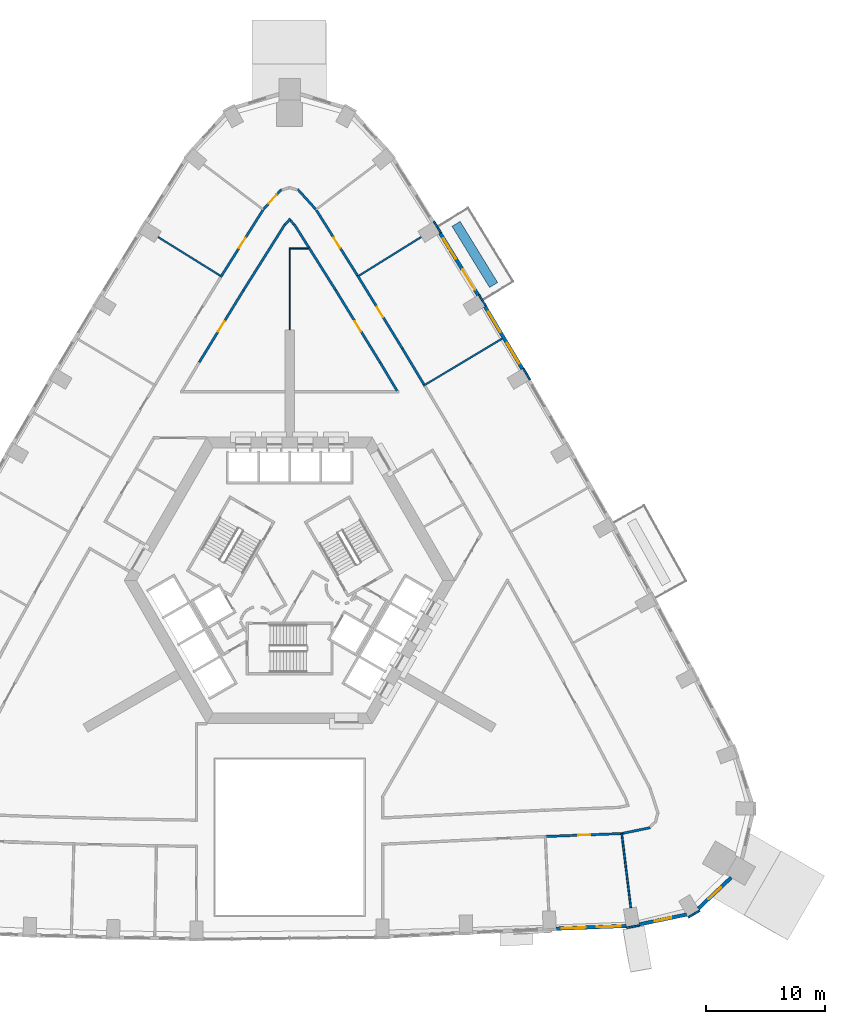
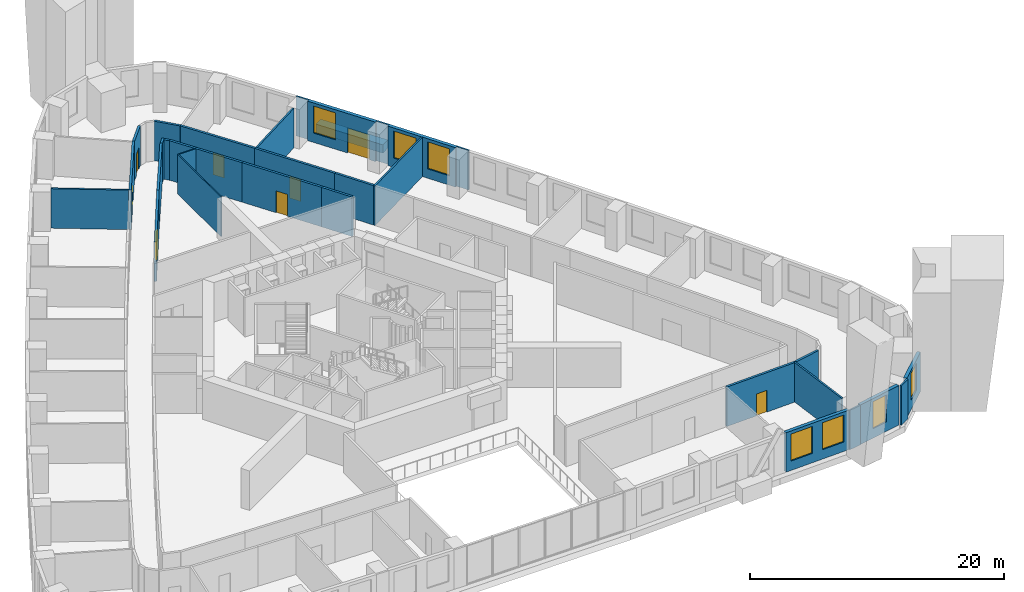
# One storey, part 10 of 15: 33 walls, 8 doors, 7 windows, 15 openings.
"""IFC4 building model written with IfcOpenShell, lengths in metres."""

from ifc_helpers import new_model, si_unit, direction, frame, frame_2d, origin, place, context, subcontext, project, spatial, rectangle, extrude, material, layer, layer_set, type_object, element, fill, save


model = new_model("IFC4")

# Units and contexts
model_context = context("Model", 3, precision=1e-05, world=origin(), true_north=direction((0.0, 1.0)))
body_context = subcontext(model_context, "Body", "Model", "MODEL_VIEW")
ifc_project = project(units=[si_unit("LENGTHUNIT", "METRE"), si_unit("AREAUNIT", "SQUARE_METRE"), si_unit("VOLUMEUNIT", "CUBIC_METRE"), si_unit("PLANEANGLEUNIT", "RADIAN"), si_unit("MASSUNIT", "GRAM", prefix="KILO")], contexts=[model_context])

# Site, building, storey
site_placement = place(None, origin())
site = spatial("IfcSite", under=ifc_project, at=site_placement, CompositionType="ELEMENT")
building_placement = place(site_placement, origin())
building = spatial("IfcBuilding", under=site, at=building_placement, Name="Entoto Arch Interchange Tower", CompositionType="ELEMENT")
storey_placement = place(building_placement, frame((0.0, 0.0, 111.800048828125)))
storey = spatial("IfcBuildingStorey", under=building, at=storey_placement, Name="L24", CompositionType="ELEMENT", Elevation=111.800048828125)

# Walls
ifc_material_1 = material(Name="Gypsum board partition on steel studs", Category="steel")
ifc_layer_1 = layer(ifc_material_1, 0.10009765625)
ifc_layer_set_1 = layer_set([ifc_layer_1], Name="Gypsum board partition on steel studs")
wall_type_1 = type_object("IfcWallType", Name="PARTITION 100", PredefinedType="PARTITIONING", material=ifc_layer_set_1)
wall_1_placement = place(storey_placement, frame((0.0, 23.5, 0.0), z_axis=(0.0, 0.0, 1.0), x_axis=(0.0, 1.0, 0.0)))
element("IfcWall", 1, at=wall_1_placement, inside=storey, type_object=wall_type_1, Name="wall:L24:p117", PredefinedType="PARTITIONING", context=body_context, shape_type="SweptSolid", body=[
    extrude(rectangle(XDim=6.85009765625, YDim=0.10009765625, at=frame_2d((3.425048828125, 0.0))), origin(), (0.0, 0.0, 1.0), 3.800048828125),
])
wall_2_placement = place(storey_placement, frame((0.050048828125, 30.300048828125, 0.0), z_axis=(0.0, 0.0, 1.0), x_axis=(1.0, 0.0, 0.0)))
element("IfcWall", 2, at=wall_2_placement, inside=storey, type_object=wall_type_1, Name="wall:L24:p118", PredefinedType="PARTITIONING", context=body_context, shape_type="SweptSolid", body=[
    extrude(rectangle(XDim=1.51806640625, YDim=0.10009765625, at=frame_2d((0.759033203125, 0.0))), origin(), (0.0, 0.0, 1.0), 3.800048828125),
])
ifc_layer_2 = layer(ifc_material_1, 0.14990234375)
ifc_layer_set_2 = layer_set([ifc_layer_2], Name="Gypsum board partition on steel studs")
wall_type_2 = type_object("IfcWallType", Name="PARTITION 150", PredefinedType="PARTITIONING", material=ifc_layer_set_2)
wall_3_placement = place(storey_placement, frame((27.822021484375, -18.7041015625, 0.0), z_axis=(0.0, 0.0, 1.0), x_axis=(0.121325411006, -0.992612786863, 0.0)))
element("IfcWall", 3, at=wall_3_placement, inside=storey, type_object=wall_type_2, Name="wall:L24:p120", PredefinedType="PARTITIONING", context=body_context, shape_type="SweptSolid", body=[
    extrude(rectangle(XDim=6.256103515625, YDim=0.14990234375, at=frame_2d((3.1279296875, 0.0))), origin(), (0.0, 0.0, 1.0), 3.800048828125),
])
wall_4_placement = place(storey_placement, frame((11.201904296875, 18.802978515625, 0.0), z_axis=(0.0, 0.0, 1.0), x_axis=(0.857778149162, 0.514020084062, 0.0)))
element("IfcWall", 4, at=wall_4_placement, inside=storey, type_object=wall_type_2, Name="wall:L24:p123", PredefinedType="PARTITIONING", context=body_context, shape_type="SweptSolid", body=[
    extrude(rectangle(XDim=7.7001953125, YDim=0.14990234375, at=frame_2d((3.85009765625, 0.0))), origin(), (0.0, 0.0, 1.0), 3.800048828125),
])
for number, where, z_axis, x_axis, name in (
    (5, (5.81396484375, 28.031005859375, 0.0), (0.0, 0.0, 1.0), (0.849222099047, 0.528035819324, 0.0), "wall:L24:p124"),
    (6, (-5.81396484375, 28.031005859375, 0.0), (0.0, 0.0, 1.0), (-0.849222099047, 0.528035819324, 0.0), "wall:L24:p127"),
):
    element("IfcWall", number, at=place(storey_placement, frame(where, z_axis=z_axis, x_axis=x_axis)), inside=storey, type_object=wall_type_2, Name=name, PredefinedType="PARTITIONING", context=body_context, shape_type="SweptSolid", body=[
        extrude(rectangle(XDim=6.13037109375, YDim=0.14990234375, at=frame_2d((3.065185546875, 0.0))), origin(), (0.0, 0.0, 1.0), 3.800048828125),
    ])
ifc_layer_3 = layer(ifc_material_1, 0.199951171875)
ifc_layer_set_3 = layer_set([ifc_layer_3], Name="Gypsum board partition on steel studs")
wall_type_3 = type_object("IfcWallType", Name="PARTITION 200", PredefinedType="PARTITIONING", material=ifc_layer_set_3)
wall_5_placement = place(storey_placement, frame((9.0029296875, 18.385986328125, 0.0), z_axis=(0.0, 0.0, 1.0), x_axis=(-0.513900868925, 0.857849577092, 0.0)))
element("IfcWall", 7, at=wall_5_placement, inside=storey, type_object=wall_type_3, Name="wall:L24:p009", PredefinedType="PARTITIONING", context=body_context, shape_type="SweptSolid", body=[
    extrude(rectangle(XDim=2.77685546875, YDim=0.199951171875, at=frame_2d((1.388427734375, 0.0))), origin(), (0.0, 0.0, 1.0), 3.800048828125),
])

# Wall, opening, door
wall_6_placement = place(storey_placement, frame((7.575927734375, 20.76806640625, 0.0), z_axis=(0.0, 0.0, 1.0), x_axis=(-0.523390991338, 0.852092641786, 0.0)))
wall_6 = element("IfcWall", 8, at=wall_6_placement, inside=storey, type_object=wall_type_3, Name="wall:L24:p010", PredefinedType="PARTITIONING", context=body_context, shape_type="SweptSolid", body=[
    extrude(rectangle(XDim=7.09765625, YDim=0.199951171875, at=frame_2d((3.548828125, 0.0))), origin(), (0.0, 0.0, 1.0), 3.800048828125),
])
opening_1_placement = place(wall_6_placement, frame((3.049072265625, 0.0, 0.0)))
opening_1 = element("IfcOpeningElement", 9, at=opening_1_placement, cuts=wall_6, Name="Opening L24-D21", PredefinedType="OPENING", context=body_context, shape_type="SweptSolid", body=[
    extrude(rectangle(XDim=1.0, YDim=2.10009765625, at=frame_2d((0.5, 1.050048828125))), frame((0.0, 0.10986328125, 0.0), z_axis=(0.0, -1.0, 0.0), x_axis=(1.0, 0.0, 0.0)), (0.0, 0.0, 1.0), 0.219970703125),
])
ifc_material_2 = material(Name="Timber door leaf in Steel S235 frame", Category="steel")
door_type_1 = type_object("IfcDoorType", Name="DOOR DS-10 1000x2100", OperationType="SINGLE_SWING_LEFT", PredefinedType="DOOR", material=ifc_material_2)
door_1_placement = place(opening_1_placement, origin())
door_1 = element("IfcDoor", 10, at=door_1_placement, inside=storey, type_object=door_type_1, Name="door:L24:21", OperationType="SINGLE_SWING_LEFT", OverallHeight=2.10009765625, OverallWidth=1.0, PredefinedType="DOOR", context=body_context, shape_type="SweptSolid", body=[
    extrude(rectangle(XDim=1.0, YDim=2.10009765625, at=frame_2d((0.5, 1.050048828125))), frame((0.0, 0.02490234375, 0.0), z_axis=(0.0, -1.0, 0.0), x_axis=(1.0, 0.0, 0.0)), (0.0, 0.0, 1.0), 0.050048828125),
])
fill(opening_1, door_1)

# Walls
wall_7_placement = place(storey_placement, frame((3.861083984375, 26.81591796875, 0.0), z_axis=(0.0, 0.0, 1.0), x_axis=(-0.532782188792, 0.846252408745, 0.0)))
element("IfcWall", 11, at=wall_7_placement, inside=storey, type_object=wall_type_3, Name="wall:L24:p011", PredefinedType="PARTITIONING", context=body_context, shape_type="SweptSolid", body=[
    extrude(rectangle(XDim=4.166748046875, YDim=0.199951171875, at=frame_2d((2.08349609375, 0.0))), origin(), (0.0, 0.0, 1.0), 3.800048828125),
])
wall_8_placement = place(storey_placement, frame((1.64111328125, 30.342041015625, 0.0), z_axis=(0.0, 0.0, 1.0), x_axis=(-0.532732797088, 0.846283502679, 0.0)))
element("IfcWall", 12, at=wall_8_placement, inside=storey, type_object=wall_type_3, Name="wall:L24:p012", PredefinedType="PARTITIONING", context=body_context, shape_type="SweptSolid", body=[
    extrude(rectangle(XDim=2.33349609375, YDim=0.199951171875, at=frame_2d((1.166748046875, 0.0))), origin(), (0.0, 0.0, 1.0), 3.800048828125),
])
wall_9_placement = place(storey_placement, frame((0.384033203125, 32.305908203125, 0.0), z_axis=(0.0, 0.0, 1.0), x_axis=(-0.669306261406, 0.742986627365, 0.0)))
element("IfcWall", 13, at=wall_9_placement, inside=storey, type_object=wall_type_3, Name="wall:L24:p013", PredefinedType="PARTITIONING", context=body_context, shape_type="SweptSolid", body=[
    extrude(rectangle(XDim=0.473876953125, YDim=0.199951171875, at=frame_2d((0.23681640625, 0.0))), origin(), (0.0, 0.0, 1.0), 3.800048828125),
])
wall_10_placement = place(storey_placement, frame((0.06689453125, 32.806884765625, 0.0), z_axis=(0.0, 0.0, 1.0), x_axis=(-0.66900475403, -0.74325812413, 0.0)))
element("IfcWall", 14, at=wall_10_placement, inside=storey, type_object=wall_type_3, Name="wall:L24:p014", PredefinedType="PARTITIONING", context=body_context, shape_type="SweptSolid", body=[
    extrude(rectangle(XDim=0.674072265625, YDim=0.199951171875, at=frame_2d((0.3369140625, 0.0))), origin(), (0.0, 0.0, 1.0), 3.800048828125),
])
wall_11_placement = place(storey_placement, frame((-0.39794921875, 32.31689453125, 0.0), z_axis=(0.0, 0.0, 1.0), x_axis=(-0.53276445777, -0.846263571553, 0.0)))
element("IfcWall", 15, at=wall_11_placement, inside=storey, type_object=wall_type_3, Name="wall:L24:p015", PredefinedType="PARTITIONING", context=body_context, shape_type="SweptSolid", body=[
    extrude(rectangle(XDim=6.500244140625, YDim=0.199951171875, at=frame_2d((3.25, 0.0))), origin(), (0.0, 0.0, 1.0), 3.800048828125),
])

# Wall, opening, door
wall_12_placement = place(storey_placement, frame((-3.861083984375, 26.81591796875, 0.0), z_axis=(0.0, 0.0, 1.0), x_axis=(-0.523390991338, -0.852092641786, 0.0)))
wall_12 = element("IfcWall", 16, at=wall_12_placement, inside=storey, type_object=wall_type_3, Name="wall:L24:p016", PredefinedType="PARTITIONING", context=body_context, shape_type="SweptSolid", body=[
    extrude(rectangle(XDim=7.09765625, YDim=0.199951171875, at=frame_2d((3.548828125, 0.0))), origin(), (0.0, 0.0, 1.0), 3.800048828125),
])
opening_2_placement = place(wall_12_placement, frame((3.049072265625, 0.0, 0.0)))
opening_2 = element("IfcOpeningElement", 17, at=opening_2_placement, cuts=wall_12, Name="Opening L24-D22", PredefinedType="OPENING", context=body_context, shape_type="SweptSolid", body=[
    extrude(rectangle(XDim=1.0, YDim=2.10009765625, at=frame_2d((0.5, 1.050048828125))), frame((0.0, 0.10986328125, 0.0), z_axis=(0.0, -1.0, 0.0), x_axis=(1.0, 0.0, 0.0)), (0.0, 0.0, 1.0), 0.219970703125),
])
door_2_placement = place(opening_2_placement, origin())
door_2 = element("IfcDoor", 18, at=door_2_placement, inside=storey, type_object=door_type_1, Name="door:L24:22", OperationType="SINGLE_SWING_LEFT", OverallHeight=2.10009765625, OverallWidth=1.0, PredefinedType="DOOR", context=body_context, shape_type="SweptSolid", body=[
    extrude(rectangle(XDim=1.0, YDim=2.10009765625, at=frame_2d((0.5, 1.050048828125))), frame((0.0, 0.02490234375, 0.0), z_axis=(0.0, -1.0, 0.0), x_axis=(1.0, 0.0, 0.0)), (0.0, 0.0, 1.0), 0.050048828125),
])
fill(opening_2, door_2)

wall_13_placement = place(storey_placement, frame((27.922119140625, -18.699951171875, 0.0), z_axis=(0.0, 0.0, 1.0), x_axis=(-0.999265458352, -0.038321583274, 0.0)))
wall_13 = element("IfcWall", 19, at=wall_13_placement, inside=storey, type_object=wall_type_3, Name="wall:L24:p038", PredefinedType="PARTITIONING", context=body_context, shape_type="SweptSolid", body=[
    extrude(rectangle(XDim=6.47265625, YDim=0.199951171875, at=frame_2d((3.236328125, 0.0))), origin(), (0.0, 0.0, 1.0), 3.800048828125),
])
opening_3_placement = place(wall_13_placement, frame((2.736083984375, 0.0, 0.0)))
opening_3 = element("IfcOpeningElement", 20, at=opening_3_placement, cuts=wall_13, Name="Opening L24-D02", PredefinedType="OPENING", context=body_context, shape_type="SweptSolid", body=[
    extrude(rectangle(XDim=1.0, YDim=2.10009765625, at=frame_2d((0.5, 1.050048828125))), frame((0.0, 0.10986328125, 0.0), z_axis=(0.0, -1.0, 0.0), x_axis=(1.0, 0.0, 0.0)), (0.0, 0.0, 1.0), 0.219970703125),
])
door_3_placement = place(opening_3_placement, origin())
door_3 = element("IfcDoor", 21, at=door_3_placement, inside=storey, type_object=door_type_1, Name="door:L24:02", OperationType="SINGLE_SWING_LEFT", OverallHeight=2.10009765625, OverallWidth=1.0, PredefinedType="DOOR", context=body_context, shape_type="SweptSolid", body=[
    extrude(rectangle(XDim=1.0, YDim=2.10009765625, at=frame_2d((0.5, 1.050048828125))), frame((0.0, 0.02490234375, 0.0), z_axis=(0.0, -1.0, 0.0), x_axis=(1.0, 0.0, 0.0)), (0.0, 0.0, 1.0), 0.050048828125),
])
fill(opening_3, door_3)

# Wall
wall_14_placement = place(storey_placement, frame((30.208984375, -18.2080078125, 0.0), z_axis=(0.0, 0.0, 1.0), x_axis=(-0.979049860969, -0.203620651545, 0.0)))
element("IfcWall", 22, at=wall_14_placement, inside=storey, type_object=wall_type_3, Name="wall:L24:p044", PredefinedType="PARTITIONING", context=body_context, shape_type="SweptSolid", body=[
    extrude(rectangle(XDim=2.338134765625, YDim=0.199951171875, at=frame_2d((1.1689453125, 0.0))), origin(), (0.0, 0.0, 1.0), 3.800048828125),
])

# Wall, opening, door
wall_15_placement = place(storey_placement, frame((5.68994140625, 28.0419921875, 0.0), z_axis=(0.0, 0.0, 1.0), x_axis=(0.523381868706, -0.852098245222, 0.0)))
wall_15 = element("IfcWall", 23, at=wall_15_placement, inside=storey, type_object=wall_type_3, Name="wall:L24:p050", PredefinedType="PARTITIONING", context=body_context, shape_type="SweptSolid", body=[
    extrude(rectangle(XDim=7.197509765625, YDim=0.199951171875, at=frame_2d((3.5986328125, 0.0))), origin(), (0.0, 0.0, 1.0), 3.800048828125),
])
opening_4_placement = place(wall_15_placement, frame((3.09912109375, 0.0, 0.0)))
opening_4 = element("IfcOpeningElement", 24, at=opening_4_placement, cuts=wall_15, Name="Opening L24-D06", PredefinedType="OPENING", context=body_context, shape_type="SweptSolid", body=[
    extrude(rectangle(XDim=1.0, YDim=2.10009765625, at=frame_2d((0.5, 1.050048828125))), frame((0.0, 0.10986328125, 0.0), z_axis=(0.0, -1.0, 0.0), x_axis=(1.0, 0.0, 0.0)), (0.0, 0.0, 1.0), 0.219970703125),
])
door_4_placement = place(opening_4_placement, origin())
door_4 = element("IfcDoor", 25, at=door_4_placement, inside=storey, type_object=door_type_1, Name="door:L24:06", OperationType="SINGLE_SWING_LEFT", OverallHeight=2.10009765625, OverallWidth=1.0, PredefinedType="DOOR", context=body_context, shape_type="SweptSolid", body=[
    extrude(rectangle(XDim=1.0, YDim=2.10009765625, at=frame_2d((0.5, 1.050048828125))), frame((0.0, 0.02490234375, 0.0), z_axis=(0.0, -1.0, 0.0), x_axis=(1.0, 0.0, 0.0)), (0.0, 0.0, 1.0), 0.050048828125),
])
fill(opening_4, door_4)

# Wall
wall_16_placement = place(storey_placement, frame((9.45703125, 21.908935546875, 0.0), z_axis=(0.0, 0.0, 1.0), x_axis=(0.513949903813, -0.857820200491, 0.0)))
element("IfcWall", 26, at=wall_16_placement, inside=storey, type_object=wall_type_3, Name="wall:L24:p051", PredefinedType="PARTITIONING", context=body_context, shape_type="SweptSolid", body=[
    extrude(rectangle(XDim=3.48681640625, YDim=0.199951171875, at=frame_2d((1.743408203125, 0.0))), origin(), (0.0, 0.0, 1.0), 3.800048828125),
])

# Wall, opening, door
wall_17_placement = place(storey_placement, frame((2.158935546875, 33.64892578125, 0.0), z_axis=(0.0, 0.0, 1.0), x_axis=(0.532784927572, -0.846250684462, 0.0)))
wall_17 = element("IfcWall", 27, at=wall_17_placement, inside=storey, type_object=wall_type_3, Name="wall:L24:p052", PredefinedType="PARTITIONING", context=body_context, shape_type="SweptSolid", body=[
    extrude(rectangle(XDim=6.625732421875, YDim=0.199951171875, at=frame_2d((3.31298828125, 0.0))), origin(), (0.0, 0.0, 1.0), 3.800048828125),
])
opening_5_placement = place(wall_17_placement, frame((2.887939453125, 0.0, 0.0)))
opening_5 = element("IfcOpeningElement", 28, at=opening_5_placement, cuts=wall_17, Name="Opening L24-D07", PredefinedType="OPENING", context=body_context, shape_type="SweptSolid", body=[
    extrude(rectangle(XDim=1.0, YDim=2.10009765625, at=frame_2d((0.5, 1.050048828125))), frame((0.0, 0.10986328125, 0.0), z_axis=(0.0, -1.0, 0.0), x_axis=(1.0, 0.0, 0.0)), (0.0, 0.0, 1.0), 0.219970703125),
])
door_5_placement = place(opening_5_placement, origin())
door_5 = element("IfcDoor", 29, at=door_5_placement, inside=storey, type_object=door_type_1, Name="door:L24:07", OperationType="SINGLE_SWING_LEFT", OverallHeight=2.10009765625, OverallWidth=1.0, PredefinedType="DOOR", context=body_context, shape_type="SweptSolid", body=[
    extrude(rectangle(XDim=1.0, YDim=2.10009765625, at=frame_2d((0.5, 1.050048828125))), frame((0.0, 0.02490234375, 0.0), z_axis=(0.0, -1.0, 0.0), x_axis=(1.0, 0.0, 0.0)), (0.0, 0.0, 1.0), 0.050048828125),
])
fill(opening_5, door_5)

wall_18_placement = place(storey_placement, frame((-2.14501953125, 33.638916015625, 0.0), z_axis=(0.0, 0.0, 1.0), x_axis=(0.66965737341, 0.742670184023, 0.0)))
wall_18 = element("IfcWall", 30, at=wall_18_placement, inside=storey, type_object=wall_type_3, Name="wall:L24:p053", PredefinedType="PARTITIONING", context=body_context, shape_type="SweptSolid", body=[
    extrude(rectangle(XDim=2.18017578125, YDim=0.199951171875, at=frame_2d((1.090087890625, 0.0))), origin(), (0.0, 0.0, 1.0), 3.800048828125),
])
opening_6_placement = place(wall_18_placement, frame((0.590087890625, 0.0, 0.0)))
opening_6 = element("IfcOpeningElement", 31, at=opening_6_placement, cuts=wall_18, Name="Opening L24-D08", PredefinedType="OPENING", context=body_context, shape_type="SweptSolid", body=[
    extrude(rectangle(XDim=1.0, YDim=2.10009765625, at=frame_2d((0.5, 1.050048828125))), frame((0.0, 0.10986328125, 0.0), z_axis=(0.0, -1.0, 0.0), x_axis=(1.0, 0.0, 0.0)), (0.0, 0.0, 1.0), 0.219970703125),
])
door_6_placement = place(opening_6_placement, origin())
door_6 = element("IfcDoor", 32, at=door_6_placement, inside=storey, type_object=door_type_1, Name="door:L24:08", OperationType="SINGLE_SWING_LEFT", OverallHeight=2.10009765625, OverallWidth=1.0, PredefinedType="DOOR", context=body_context, shape_type="SweptSolid", body=[
    extrude(rectangle(XDim=1.0, YDim=2.10009765625, at=frame_2d((0.5, 1.050048828125))), frame((0.0, 0.02490234375, 0.0), z_axis=(0.0, -1.0, 0.0), x_axis=(1.0, 0.0, 0.0)), (0.0, 0.0, 1.0), 0.050048828125),
])
fill(opening_6, door_6)

# Wall
wall_19_placement = place(storey_placement, frame((0.68505859375, 35.258056640625, 0.0), z_axis=(0.0, 0.0, 1.0), x_axis=(0.66965737341, -0.742670184023, 0.0)))
element("IfcWall", 33, at=wall_19_placement, inside=storey, type_object=wall_type_3, Name="wall:L24:p056", PredefinedType="PARTITIONING", context=body_context, shape_type="SweptSolid", body=[
    extrude(rectangle(XDim=2.18017578125, YDim=0.199951171875, at=frame_2d((1.090087890625, 0.0))), origin(), (0.0, 0.0, 1.0), 3.800048828125),
])

# Wall, opening, door
wall_20_placement = place(storey_placement, frame((-5.76904296875, 27.9150390625, 0.0), z_axis=(0.0, 0.0, 1.0), x_axis=(0.532800846123, 0.846240662206, 0.0)))
wall_20 = element("IfcWall", 34, at=wall_20_placement, inside=storey, type_object=wall_type_3, Name="wall:L24:p057", PredefinedType="PARTITIONING", context=body_context, shape_type="SweptSolid", body=[
    extrude(rectangle(XDim=6.775634765625, YDim=0.199951171875, at=frame_2d((3.3876953125, 0.0))), origin(), (0.0, 0.0, 1.0), 3.800048828125),
])
opening_7_placement = place(wall_20_placement, frame((2.887939453125, 0.0, 0.0)))
opening_7 = element("IfcOpeningElement", 35, at=opening_7_placement, cuts=wall_20, Name="Opening L24-D09", PredefinedType="OPENING", context=body_context, shape_type="SweptSolid", body=[
    extrude(rectangle(XDim=1.0, YDim=2.10009765625, at=frame_2d((0.5, 1.050048828125))), frame((0.0, 0.10986328125, 0.0), z_axis=(0.0, -1.0, 0.0), x_axis=(1.0, 0.0, 0.0)), (0.0, 0.0, 1.0), 0.219970703125),
])
door_7_placement = place(opening_7_placement, origin())
door_7 = element("IfcDoor", 36, at=door_7_placement, inside=storey, type_object=door_type_1, Name="door:L24:09", OperationType="SINGLE_SWING_LEFT", OverallHeight=2.10009765625, OverallWidth=1.0, PredefinedType="DOOR", context=body_context, shape_type="SweptSolid", body=[
    extrude(rectangle(XDim=1.0, YDim=2.10009765625, at=frame_2d((0.5, 1.050048828125))), frame((0.0, 0.02490234375, 0.0), z_axis=(0.0, -1.0, 0.0), x_axis=(1.0, 0.0, 0.0)), (0.0, 0.0, 1.0), 0.050048828125),
])
fill(opening_7, door_7)

# Wall
ifc_material_3 = material(Name="Board-marked precast concrete C50/60", Category="concrete")
ifc_layer_4 = layer(ifc_material_3, 0.800048828125)
ifc_layer_set_4 = layer_set([ifc_layer_4], Name="Board-marked precast concrete C50/60")
wall_type_4 = type_object("IfcWallType", Name="PLANTER RC 800 Vachellia abyssinica", PredefinedType="STANDARD", material=ifc_layer_set_4)
wall_21_placement = place(storey_placement, frame((17.090087890625, 27.2509765625, 0.0), z_axis=(0.0, 0.0, 1.0), x_axis=(-0.523394506734, 0.852090482473, 0.0)))
element("IfcWall", 37, at=wall_21_placement, inside=storey, type_object=wall_type_4, Name="Planter NE-07 L24", PredefinedType="STANDARD", context=body_context, shape_type="SweptSolid", body=[
    extrude(rectangle(XDim=6.0087890625, YDim=0.800048828125, at=frame_2d((3.00439453125, 0.0))), origin(), (0.0, 0.0, 1.0), 0.800048828125),
])

# Wall, openings, windows
ifc_material_4 = material(Name="Welded tuff (ignimbrite) cladding, warm buff", Category="masonry")
ifc_layer_5 = layer(ifc_material_4, 0.300048828125)
ifc_layer_set_5 = layer_set([ifc_layer_5], Name="Welded tuff (ignimbrite) cladding, warm buff")
wall_type_5 = type_object("IfcWallType", Name="STONE INFILL WALL 300", PredefinedType="STANDARD", material=ifc_layer_set_5)
wall_22_placement = place(storey_placement, frame((22.33203125, -26.669921875, 0.0), z_axis=(0.0, 0.0, 1.0), x_axis=(0.999267908582, 0.038257638169, 0.0)))
wall_22 = element("IfcWall", 38, at=wall_22_placement, inside=storey, type_object=wall_type_5, Name="Facade wall S-07 L24", PredefinedType="STANDARD", context=body_context, shape_type="SweptSolid", body=[
    extrude(rectangle(XDim=5.87744140625, YDim=0.300048828125, at=frame_2d((2.938720703125, 0.0))), origin(), (0.0, 0.0, 1.0), 3.800048828125),
])
opening_8_placement = place(wall_22_placement, frame((0.468994140625, 0.0, 0.89990234375)))
opening_8 = element("IfcOpeningElement", 39, at=opening_8_placement, cuts=wall_22, Name="Opening WO-C", PredefinedType="OPENING", context=body_context, shape_type="SweptSolid", body=[
    extrude(rectangle(XDim=2.0, YDim=2.60009765625, at=frame_2d((1.0, 1.300048828125))), frame((0.0, 0.16015625, 0.0), z_axis=(0.0, -1.0, 0.0), x_axis=(1.0, 0.0, 0.0)), (0.0, 0.0, 1.0), 0.320068359375),
])
opening_9_placement = place(wall_22_placement, frame((3.407958984375, 0.0, 0.89990234375)))
opening_9 = element("IfcOpeningElement", 40, at=opening_9_placement, cuts=wall_22, Name="Opening WO-C", PredefinedType="OPENING", context=body_context, shape_type="SweptSolid", body=[
    extrude(rectangle(XDim=2.0, YDim=2.60009765625, at=frame_2d((1.0, 1.300048828125))), frame((0.0, 0.16015625, 0.0), z_axis=(0.0, -1.0, 0.0), x_axis=(1.0, 0.0, 0.0)), (0.0, 0.0, 1.0), 0.320068359375),
])
ifc_material_5 = material(Name="Clear glass, low-e double glazed", Category="glass")
window_type_1 = type_object("IfcWindowType", Name="WINDOW WO-C 2000x2600", PartitioningType="DOUBLE_PANEL_VERTICAL", PredefinedType="WINDOW", material=ifc_material_5)
window_1_placement = place(opening_8_placement, origin())
window_1 = element("IfcWindow", 41, at=window_1_placement, inside=storey, type_object=window_type_1, Name="Window WO-C S-07 L24", OverallHeight=2.60009765625, OverallWidth=2.0, PartitioningType="SINGLE_PANEL", PredefinedType="WINDOW", context=body_context, shape_type="SweptSolid", body=[
    extrude(rectangle(XDim=2.0, YDim=2.60009765625, at=frame_2d((1.0, 1.300048828125))), frame((0.0, 0.030029296875, 0.0), z_axis=(0.0, -1.0, 0.0), x_axis=(1.0, 0.0, 0.0)), (0.0, 0.0, 1.0), 0.06005859375),
])
fill(opening_8, window_1)
window_2_placement = place(opening_9_placement, origin())
window_2 = element("IfcWindow", 42, at=window_2_placement, inside=storey, type_object=window_type_1, Name="Window WO-C S-07 L24", OverallHeight=2.60009765625, OverallWidth=2.0, PartitioningType="SINGLE_PANEL", PredefinedType="WINDOW", context=body_context, shape_type="SweptSolid", body=[
    extrude(rectangle(XDim=2.0, YDim=2.60009765625, at=frame_2d((1.0, 1.300048828125))), frame((0.0, 0.030029296875, 0.0), z_axis=(0.0, -1.0, 0.0), x_axis=(1.0, 0.0, 0.0)), (0.0, 0.0, 1.0), 0.06005859375),
])
fill(opening_9, window_2)

# Wall, opening, window
wall_23_placement = place(storey_placement, frame((29.297119140625, -26.31298828125, 0.0), z_axis=(0.0, 0.0, 1.0), x_axis=(0.979080614496, 0.203472726227, 0.0)))
wall_23 = element("IfcWall", 43, at=wall_23_placement, inside=storey, type_object=wall_type_5, Name="Facade wall SE-01 L24", PredefinedType="STANDARD", context=body_context, shape_type="SweptSolid", body=[
    extrude(rectangle(XDim=4.049560546875, YDim=0.300048828125, at=frame_2d((2.02490234375, 0.0))), origin(), (0.0, 0.0, 1.0), 3.800048828125),
])
opening_10_placement = place(wall_23_placement, frame((1.324951171875, 0.0, 0.89990234375)))
opening_10 = element("IfcOpeningElement", 44, at=opening_10_placement, cuts=wall_23, Name="Opening WO-B", PredefinedType="OPENING", context=body_context, shape_type="SweptSolid", body=[
    extrude(rectangle(XDim=1.39990234375, YDim=2.60009765625, at=frame_2d((0.699951171875, 1.300048828125))), frame((0.0, 0.16015625, 0.0), z_axis=(0.0, -1.0, 0.0), x_axis=(1.0, 0.0, 0.0)), (0.0, 0.0, 1.0), 0.320068359375),
])
window_type_2 = type_object("IfcWindowType", Name="WINDOW WO-B 1400x2600", PartitioningType="DOUBLE_PANEL_VERTICAL", PredefinedType="WINDOW", material=ifc_material_5)
window_3_placement = place(opening_10_placement, origin())
window_3 = element("IfcWindow", 45, at=window_3_placement, inside=storey, type_object=window_type_2, Name="Window WO-B SE-01 L24", OverallHeight=2.60009765625, OverallWidth=1.39990234375, PartitioningType="SINGLE_PANEL", PredefinedType="WINDOW", context=body_context, shape_type="SweptSolid", body=[
    extrude(rectangle(XDim=1.39990234375, YDim=2.60009765625, at=frame_2d((0.699951171875, 1.300048828125))), frame((0.0, 0.030029296875, 0.0), z_axis=(0.0, -1.0, 0.0), x_axis=(1.0, 0.0, 0.0)), (0.0, 0.0, 1.0), 0.06005859375),
])
fill(opening_10, window_3)

wall_24_placement = place(storey_placement, frame((34.242919921875, -24.989013671875, 0.0), z_axis=(0.0, 0.0, 1.0), x_axis=(0.726076674532, 0.687613745281, 0.0)))
wall_24 = element("IfcWall", 46, at=wall_24_placement, inside=storey, type_object=wall_type_5, Name="Facade wall SE-02 L24", PredefinedType="STANDARD", context=body_context, shape_type="SweptSolid", body=[
    extrude(rectangle(XDim=3.776611328125, YDim=0.300048828125, at=frame_2d((1.88818359375, 0.0))), origin(), (0.0, 0.0, 1.0), 3.800048828125),
])
opening_11_placement = place(wall_24_placement, frame((1.18798828125, 0.0, 0.89990234375)))
opening_11 = element("IfcOpeningElement", 47, at=opening_11_placement, cuts=wall_24, Name="Opening WO-B", PredefinedType="OPENING", context=body_context, shape_type="SweptSolid", body=[
    extrude(rectangle(XDim=1.39990234375, YDim=2.60009765625, at=frame_2d((0.699951171875, 1.300048828125))), frame((0.0, 0.16015625, 0.0), z_axis=(0.0, -1.0, 0.0), x_axis=(1.0, 0.0, 0.0)), (0.0, 0.0, 1.0), 0.320068359375),
])
window_4_placement = place(opening_11_placement, origin())
window_4 = element("IfcWindow", 48, at=window_4_placement, inside=storey, type_object=window_type_2, Name="Window WO-B SE-02 L24", OverallHeight=2.60009765625, OverallWidth=1.39990234375, PartitioningType="SINGLE_PANEL", PredefinedType="WINDOW", context=body_context, shape_type="SweptSolid", body=[
    extrude(rectangle(XDim=1.39990234375, YDim=2.60009765625, at=frame_2d((0.699951171875, 1.300048828125))), frame((0.0, 0.030029296875, 0.0), z_axis=(0.0, -1.0, 0.0), x_axis=(1.0, 0.0, 0.0)), (0.0, 0.0, 1.0), 0.06005859375),
])
fill(opening_11, window_4)

# Wall, openings, windows
wall_25_placement = place(storey_placement, frame((19.506103515625, 20.217041015625, 0.0), z_axis=(0.0, 0.0, 1.0), x_axis=(-0.514078503149, 0.857743139057, 0.0)))
wall_25 = element("IfcWall", 49, at=wall_25_placement, inside=storey, type_object=wall_type_5, Name="Facade wall NE-06 L24", PredefinedType="STANDARD", context=body_context, shape_type="SweptSolid", body=[
    extrude(rectangle(XDim=6.110107421875, YDim=0.300048828125, at=frame_2d((3.05517578125, 0.0))), origin(), (0.0, 0.0, 1.0), 3.800048828125),
])
opening_12_placement = place(wall_25_placement, frame((0.528076171875, 0.0, 0.89990234375)))
opening_12 = element("IfcOpeningElement", 50, at=opening_12_placement, cuts=wall_25, Name="Opening WO-C", PredefinedType="OPENING", context=body_context, shape_type="SweptSolid", body=[
    extrude(rectangle(XDim=2.0, YDim=2.60009765625, at=frame_2d((1.0, 1.300048828125))), frame((0.0, 0.16015625, 0.0), z_axis=(0.0, -1.0, 0.0), x_axis=(1.0, 0.0, 0.0)), (0.0, 0.0, 1.0), 0.320068359375),
])
opening_13_placement = place(wall_25_placement, frame((3.5830078125, 0.0, 0.89990234375)))
opening_13 = element("IfcOpeningElement", 51, at=opening_13_placement, cuts=wall_25, Name="Opening WO-C", PredefinedType="OPENING", context=body_context, shape_type="SweptSolid", body=[
    extrude(rectangle(XDim=2.0, YDim=2.60009765625, at=frame_2d((1.0, 1.300048828125))), frame((0.0, 0.16015625, 0.0), z_axis=(0.0, -1.0, 0.0), x_axis=(1.0, 0.0, 0.0)), (0.0, 0.0, 1.0), 0.320068359375),
])
window_5_placement = place(opening_12_placement, origin())
window_5 = element("IfcWindow", 52, at=window_5_placement, inside=storey, type_object=window_type_1, Name="Window WO-C NE-06 L24", OverallHeight=2.60009765625, OverallWidth=2.0, PartitioningType="SINGLE_PANEL", PredefinedType="WINDOW", context=body_context, shape_type="SweptSolid", body=[
    extrude(rectangle(XDim=2.0, YDim=2.60009765625, at=frame_2d((1.0, 1.300048828125))), frame((0.0, 0.030029296875, 0.0), z_axis=(0.0, -1.0, 0.0), x_axis=(1.0, 0.0, 0.0)), (0.0, 0.0, 1.0), 0.06005859375),
])
fill(opening_12, window_5)
window_6_placement = place(opening_13_placement, origin())
window_6 = element("IfcWindow", 53, at=window_6_placement, inside=storey, type_object=window_type_1, Name="Window WO-C NE-06 L24", OverallHeight=2.60009765625, OverallWidth=2.0, PartitioningType="SINGLE_PANEL", PredefinedType="WINDOW", context=body_context, shape_type="SweptSolid", body=[
    extrude(rectangle(XDim=2.0, YDim=2.60009765625, at=frame_2d((1.0, 1.300048828125))), frame((0.0, 0.030029296875, 0.0), z_axis=(0.0, -1.0, 0.0), x_axis=(1.0, 0.0, 0.0)), (0.0, 0.0, 1.0), 0.06005859375),
])
fill(opening_13, window_6)

# Wall, openings, door, window
wall_26_placement = place(storey_placement, frame((15.7958984375, 26.39697265625, 0.0), z_axis=(0.0, 0.0, 1.0), x_axis=(-0.523417276981, 0.852076495485, 0.0)))
wall_26 = element("IfcWall", 54, at=wall_26_placement, inside=storey, type_object=wall_type_5, Name="Facade wall NE-07 L24", PredefinedType="STANDARD", context=body_context, shape_type="SweptSolid", body=[
    extrude(rectangle(XDim=6.10986328125, YDim=0.300048828125, at=frame_2d((3.054931640625, 0.0))), origin(), (0.0, 0.0, 1.0), 3.800048828125),
])
opening_14_placement = place(wall_26_placement, frame((0.527099609375, 0.0, 0.0)))
opening_14 = element("IfcOpeningElement", 55, at=opening_14_placement, cuts=wall_26, Name="Opening DB-NE-07-L24", PredefinedType="OPENING", context=body_context, shape_type="SweptSolid", body=[
    extrude(rectangle(XDim=2.0, YDim=2.39990234375, at=frame_2d((1.0, 1.199951171875))), frame((0.0, 0.16015625, 0.0), z_axis=(0.0, -1.0, 0.0), x_axis=(1.0, 0.0, 0.0)), (0.0, 0.0, 1.0), 0.320068359375),
])
opening_15_placement = place(wall_26_placement, frame((3.58203125, 0.0, 0.89990234375)))
opening_15 = element("IfcOpeningElement", 56, at=opening_15_placement, cuts=wall_26, Name="Opening WO-C", PredefinedType="OPENING", context=body_context, shape_type="SweptSolid", body=[
    extrude(rectangle(XDim=2.0, YDim=2.60009765625, at=frame_2d((1.0, 1.300048828125))), frame((0.0, 0.16015625, 0.0), z_axis=(0.0, -1.0, 0.0), x_axis=(1.0, 0.0, 0.0)), (0.0, 0.0, 1.0), 0.320068359375),
])
ifc_material_6 = material(Name="Aluminium and clear glass, anodised", Category="aluminium")
door_type_2 = type_object("IfcDoorType", Name="BALCONY DOOR DB 2000x2400", OperationType="SLIDING_TO_LEFT", PredefinedType="DOOR", material=ifc_material_6)
door_8_placement = place(opening_14_placement, origin())
door_8 = element("IfcDoor", 57, at=door_8_placement, inside=storey, type_object=door_type_2, Name="Balcony door NE-07 L24", OperationType="SLIDING_TO_LEFT", OverallHeight=2.39990234375, OverallWidth=2.0, PredefinedType="DOOR", context=body_context, shape_type="SweptSolid", body=[
    extrude(rectangle(XDim=2.0, YDim=2.39990234375, at=frame_2d((1.0, 1.199951171875))), frame((0.0, 0.02490234375, 0.0), z_axis=(0.0, -1.0, 0.0), x_axis=(1.0, 0.0, 0.0)), (0.0, 0.0, 1.0), 0.050048828125),
])
fill(opening_14, door_8)
window_7_placement = place(opening_15_placement, origin())
window_7 = element("IfcWindow", 58, at=window_7_placement, inside=storey, type_object=window_type_1, Name="Window WO-C NE-07 L24", OverallHeight=2.60009765625, OverallWidth=2.0, PartitioningType="SINGLE_PANEL", PredefinedType="WINDOW", context=body_context, shape_type="SweptSolid", body=[
    extrude(rectangle(XDim=2.0, YDim=2.60009765625, at=frame_2d((1.0, 1.300048828125))), frame((0.0, 0.030029296875, 0.0), z_axis=(0.0, -1.0, 0.0), x_axis=(1.0, 0.0, 0.0)), (0.0, 0.0, 1.0), 0.06005859375),
])
fill(opening_15, window_7)

# Walls
ifc_layer_6 = layer(ifc_material_4, 0.14990234375)
ifc_layer_set_6 = layer_set([ifc_layer_6], Name="Welded tuff (ignimbrite) cladding, warm buff")
wall_type_6 = type_object("IfcWallType", Name="STONE PIER CLADDING 150", PredefinedType="STANDARD", material=ifc_layer_set_6)
wall_27_placement = place(storey_placement, frame((20.133056640625, 19.31201171875, 0.0), z_axis=(0.0, 0.0, 1.0), x_axis=(-0.510082245696, 0.860125631885, 0.0)))
element("IfcWall", 59, at=wall_27_placement, inside=storey, type_object=wall_type_6, Name="Stone pier NE06 L24", PredefinedType="STANDARD", context=body_context, shape_type="SweptSolid", body=[
    extrude(rectangle(XDim=1.099853515625, YDim=0.14990234375, at=frame_2d((0.5498046875, 0.0))), origin(), (0.0, 0.0, 1.0), 3.800048828125),
])
wall_28_placement = place(storey_placement, frame((16.43310546875, 25.498046875, 0.0), z_axis=(0.0, 0.0, 1.0), x_axis=(-0.519869515594, 0.854245682901, 0.0)))
element("IfcWall", 60, at=wall_28_placement, inside=storey, type_object=wall_type_6, Name="Stone pier NE07 L24", PredefinedType="STANDARD", context=body_context, shape_type="SweptSolid", body=[
    extrude(rectangle(XDim=1.100341796875, YDim=0.14990234375, at=frame_2d((0.55029296875, 0.0))), origin(), (0.0, 0.0, 1.0), 3.800048828125),
])
wall_29_placement = place(storey_placement, frame((12.666015625, 31.64404296875, 0.0), z_axis=(0.0, 0.0, 1.0), x_axis=(-0.52997899071, 0.848010771987, 0.0)))
element("IfcWall", 61, at=wall_29_placement, inside=storey, type_object=wall_type_6, Name="Stone pier NE08 L24", PredefinedType="STANDARD", context=body_context, shape_type="SweptSolid", body=[
    extrude(rectangle(XDim=1.10009765625, YDim=0.14990234375, at=frame_2d((0.550048828125, 0.0))), origin(), (0.0, 0.0, 1.0), 3.800048828125),
])
wall_30_placement = place(storey_placement, frame((28.22900390625, -26.592041015625, 0.0), z_axis=(0.0, 0.0, 1.0), x_axis=(0.985763338892, 0.168138751323, 0.0)))
element("IfcWall", 62, at=wall_30_placement, inside=storey, type_object=wall_type_6, Name="Stone pier S08 L24", PredefinedType="STANDARD", context=body_context, shape_type="SweptSolid", body=[
    extrude(rectangle(XDim=1.1005859375, YDim=0.14990234375, at=frame_2d((0.55029296875, 0.0))), origin(), (0.0, 0.0, 1.0), 3.800048828125),
])
wall_31_placement = place(storey_placement, frame((33.406005859375, -25.72802734375, 0.0), z_axis=(0.0, 0.0, 1.0), x_axis=(0.854245682901, 0.519869515594, 0.0)))
element("IfcWall", 63, at=wall_31_placement, inside=storey, type_object=wall_type_6, Name="Stone pier SE1 L24", PredefinedType="STANDARD", context=body_context, shape_type="SweptSolid", body=[
    extrude(rectangle(XDim=1.100341796875, YDim=0.14990234375, at=frame_2d((0.55029296875, 0.0))), origin(), (0.0, 0.0, 1.0), 3.800048828125),
])

save(model, "model.ifc")
